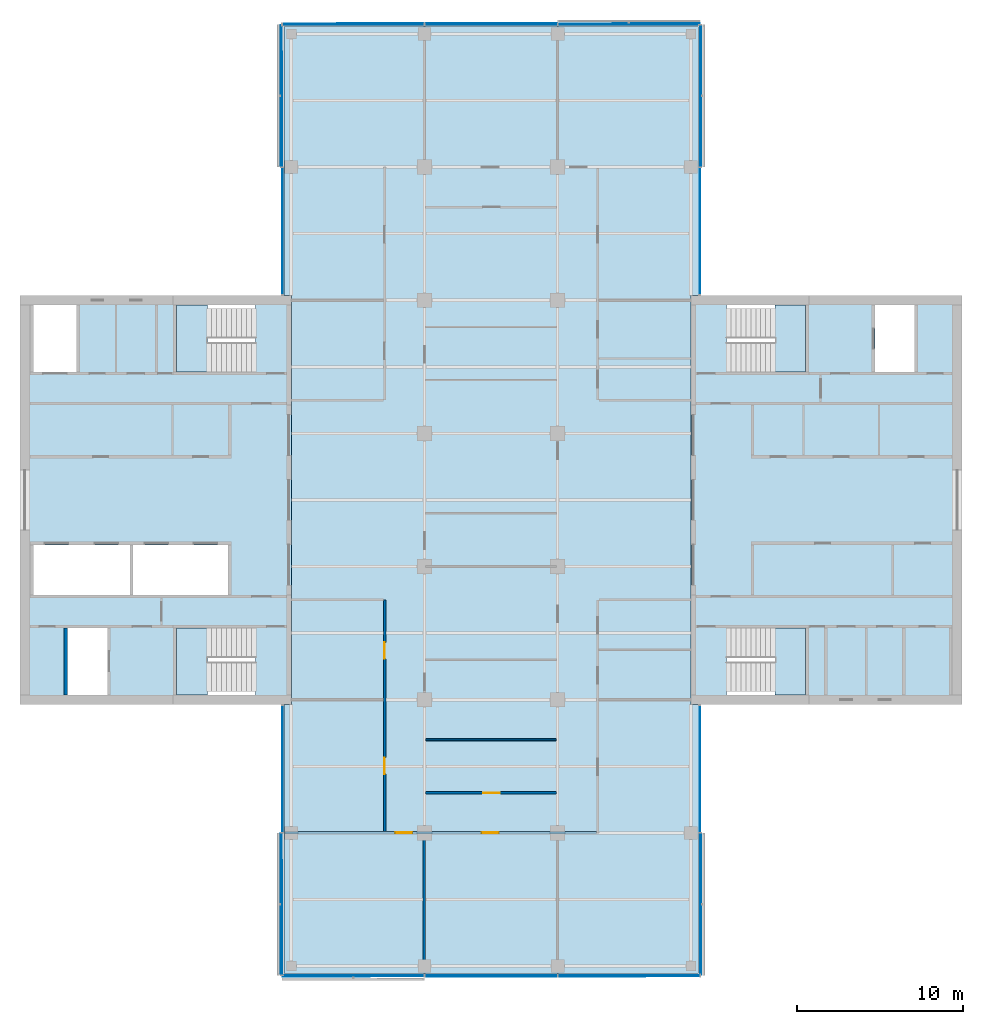
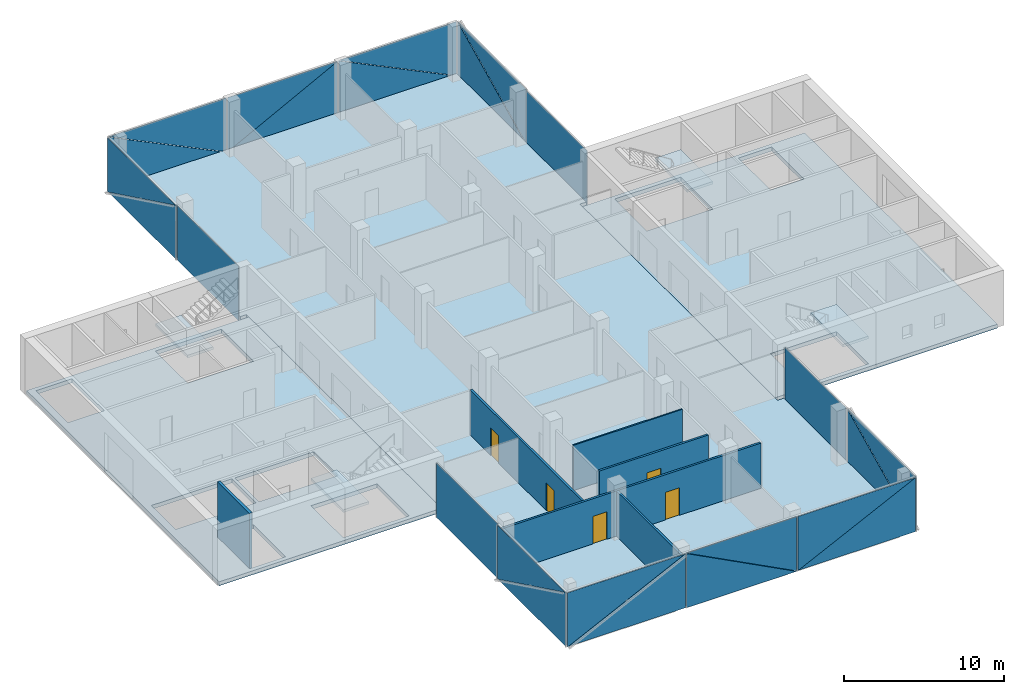
# One storey, part 8 of 15: 24 plates, 7 slabs, 6 walls, 5 doors, 5 openings, 14 elements without a shape of their own.
"""IFC4 building model written with IfcOpenShell, lengths in metres."""

import ifcopenshell
import ifcopenshell.guid

model = None  # the IFC model being written
_history = None  # IfcOwnerHistory: only IFC2X3 demands one
_inside = {}  # id of a spatial element -> (the spatial element, [elements in it])
_under = {}  # id of a project, library or spatial element -> (it, [spatial elements below it])
_declared = {}  # id of a project -> (the project, [libraries it declares])
_typed = {}  # id of a type object -> (the type object, [elements of that type])
_made_of = {}  # id of a material, layer set ... -> (it, [elements and type objects made of it])


def new_model(schema):
    """Start an empty IFC model of exactly this schema.

    Asked for "IFC4X3", IfcOpenShell would pick the latest addendum, in which some entities
    have other attributes; the version numbers below select the first issue.
    IFC2X3 requires an IfcOwnerHistory on every rooted entity: one is made here for all.
    """
    global model, _history
    if schema == "IFC4X3":
        model = ifcopenshell.file(schema_version=(4, 3, 0, 0))
    else:
        model = ifcopenshell.file(schema=schema)
    _inside.clear()
    _under.clear()
    _declared.clear()
    _typed.clear()
    _made_of.clear()
    _history = None
    if model.schema == "IFC2X3":
        org = make("IfcOrganization", Name="unknown")
        user = make(
            "IfcPersonAndOrganization",
            ThePerson=make("IfcPerson", FamilyName="unknown"),
            TheOrganization=org,
        )
        app = make(
            "IfcApplication",
            ApplicationDeveloper=org,
            Version="unknown",
            ApplicationFullName="unknown",
            ApplicationIdentifier="unknown",
        )
        _history = make(
            "IfcOwnerHistory",
            OwningUser=user,
            OwningApplication=app,
            ChangeAction="ADDED",
            CreationDate=0,
        )
    return model


def make(cls, **values):
    """One entity of the class cls with the attributes given. An attribute that is None is left unset."""
    return model.create_entity(
        cls, **{name: value for name, value in values.items() if value is not None}
    )


def rooted(cls, **values):
    """An entity with a GlobalId (a new one), such as an element, a storey or a relation."""
    return make(cls, GlobalId=ifcopenshell.guid.new(), OwnerHistory=_history, **values)


def si_unit(unit_type, name, prefix=None):
    """IfcSIUnit, for example si_unit("LENGTHUNIT", "METRE", prefix="MILLI")."""
    return make("IfcSIUnit", UnitType=unit_type, Prefix=prefix, Name=name)


def assignment(units):
    """IfcUnitAssignment: the units of a project."""
    return None if units is None else make("IfcUnitAssignment", Units=units)


def point(xyz):
    """IfcCartesianPoint."""
    return None if xyz is None else make("IfcCartesianPoint", Coordinates=xyz)


def direction(xyz):
    """IfcDirection."""
    return None if xyz is None else make("IfcDirection", DirectionRatios=xyz)


def frame(location, z_axis=None, x_axis=None):
    """IfcAxis2Placement3D, a coordinate frame: its origin and axes. An axis left out is left unset."""
    return make(
        "IfcAxis2Placement3D",
        Location=point(location),
        Axis=direction(z_axis),
        RefDirection=direction(x_axis),
    )


def frame_2d(location, x_axis=None):
    """IfcAxis2Placement2D, a coordinate frame in the plane: its origin and x axis."""
    return make(
        "IfcAxis2Placement2D", Location=point(location), RefDirection=direction(x_axis)
    )


def origin():
    """The frame at (0, 0, 0) with its axes left unset."""
    return frame((0.0, 0.0, 0.0))


def place(relative_to, where):
    """IfcLocalPlacement: puts the frame where relative to a parent placement (None: the world)."""
    return make(
        "IfcLocalPlacement", PlacementRelTo=relative_to, RelativePlacement=where
    )


def context(
    kind, dimensions, precision=None, world=None, true_north=None, identifier=None
):
    """IfcGeometricRepresentationContext, for example the 3D "Model" context."""
    return make(
        "IfcGeometricRepresentationContext",
        ContextIdentifier=identifier,
        ContextType=kind,
        CoordinateSpaceDimension=dimensions,
        Precision=precision,
        WorldCoordinateSystem=world,
        TrueNorth=true_north,
    )


def subcontext(parent, identifier, kind, view, scale=None):
    """IfcGeometricRepresentationSubContext, for example "Body" below "Model"."""
    return make(
        "IfcGeometricRepresentationSubContext",
        ContextIdentifier=identifier,
        ContextType=kind,
        ParentContext=parent,
        TargetScale=scale,
        TargetView=view,
    )


def project(units=None, contexts=None):
    """IfcProject with its units and contexts."""
    return rooted(
        "IfcProject",
        Name="project",
        RepresentationContexts=contexts,
        UnitsInContext=assignment(units),
    )


def spatial(cls, under=None, at=None, **own):
    """A site, building, storey or space (cls), placed at a placement, below another one or the project."""
    s = rooted(cls, ObjectPlacement=at, **own)
    if under is not None:
        _under.setdefault(under.id(), (under, []))[1].append(s)
    return s


def polyline(points):
    """IfcPolyline through the points."""
    return make("IfcPolyline", Points=[point(p) for p in points])


def profile(cls, at=None, kind="AREA", **sizes):
    """A parametric profile (cls). Its sizes go by their IFC names, for example OverallWidth=200.0."""
    return make(cls, ProfileType=kind, Position=at, **sizes)


def rectangle(**sizes):
    """IfcRectangleProfileDef."""
    return profile("IfcRectangleProfileDef", **sizes)


def outline(outer, holes=None, kind="AREA"):
    """IfcArbitraryClosedProfileDef: a profile drawn as a closed curve; with holes, ...WithVoids."""
    if holes is None:
        return make("IfcArbitraryClosedProfileDef", ProfileType=kind, OuterCurve=outer)
    return make(
        "IfcArbitraryProfileDefWithVoids",
        ProfileType=kind,
        OuterCurve=outer,
        InnerCurves=holes,
    )


def extrude(swept, where, along, depth):
    """IfcExtrudedAreaSolid: the profile swept, set in the frame where, extruded along a direction by depth."""
    return make(
        "IfcExtrudedAreaSolid",
        SweptArea=swept,
        Position=where,
        ExtrudedDirection=direction(along),
        Depth=depth,
    )


def shape(context_of_items, identifier, shape_type, items):
    """IfcShapeRepresentation: the items that make up one representation, for example the "Body"."""
    return make(
        "IfcShapeRepresentation",
        ContextOfItems=context_of_items,
        RepresentationIdentifier=identifier,
        RepresentationType=shape_type,
        Items=items,
    )


def material(Name=None, Category=None):
    """IfcMaterial."""
    return make("IfcMaterial", Name=Name, Category=Category)


def layer(
    of_material, thickness, ventilated=None, Name=None, Category=None, Priority=None
):
    """IfcMaterialLayer: one layer of a wall or slab, of a material (None: an air gap)."""
    return make(
        "IfcMaterialLayer",
        Material=of_material,
        LayerThickness=thickness,
        IsVentilated=ventilated,
        Name=Name,
        Category=Category,
        Priority=Priority,
    )


def layer_set(layers, Name=None):
    """IfcMaterialLayerSet."""
    return make("IfcMaterialLayerSet", MaterialLayers=layers, LayerSetName=Name)


def made_of(thing, what):
    """Note that an element or type object is made of a material, layer set ...; save() writes the relation."""
    if what is not None:
        _made_of.setdefault(what.id(), (what, []))[1].append(thing)
    return thing


def type_object(cls, material=None, **own):
    """A type object (cls), such as IfcWallType, which elements share."""
    return made_of(rooted(cls, **own), material)


def element(
    cls,
    number,
    at=None,
    inside=None,
    cuts=None,
    type_object=None,
    material=None,
    context=None,
    identifier="Body",
    shape_type=None,
    held_by="IfcProductDefinitionShape",
    body=None,
    shapes=None,
    **own,
):
    """One element of the class cls, such as IfcWall. Its Tag is "e" and its number.

    at: its placement. inside: the storey or other place that contains it. cuts: it is an
    opening in that element (IfcRelVoidsElement). A single representation is given by context,
    identifier, shape_type and body (its items); several are given by shapes. held_by: the class
    of the entity that holds the representations. save() writes the other relations.
    """
    e = rooted(cls, Tag="e%d" % number, ObjectPlacement=at, **own)
    if body is not None:
        shapes = [shape(context, identifier, shape_type, body)]
    if shapes is not None:
        e.Representation = make(held_by, Representations=shapes)
    if inside is not None:
        _inside.setdefault(inside.id(), (inside, []))[1].append(e)
    if cuts is not None:
        rooted(
            "IfcRelVoidsElement", RelatingBuildingElement=cuts, RelatedOpeningElement=e
        )
    if type_object is not None:
        _typed.setdefault(type_object.id(), (type_object, []))[1].append(e)
    return made_of(e, material)


def fill(opening, filler):
    """IfcRelFillsElement: the door or window that sits in an opening."""
    return rooted(
        "IfcRelFillsElement",
        RelatingOpeningElement=opening,
        RelatedBuildingElement=filler,
    )


def aggregate(whole, parts):
    """IfcRelAggregates: a whole, such as a stair, and the parts it consists of."""
    return rooted("IfcRelAggregates", RelatingObject=whole, RelatedObjects=parts)


def save(model, path):
    """Write the relations noted so far, then the file.

    IfcRelAggregates (storeys below a building ...), IfcRelContainedInSpatialStructure (elements
    in a storey), IfcRelDefinesByType, IfcRelAssociatesMaterial and IfcRelDeclares: one each for
    every whole, place, type object, material and project.
    """
    for whole, parts in _under.values():
        aggregate(whole, parts)
    for where, things in _inside.values():
        rooted(
            "IfcRelContainedInSpatialStructure",
            RelatedElements=things,
            RelatingStructure=where,
        )
    for kind, things in _typed.values():
        rooted("IfcRelDefinesByType", RelatedObjects=things, RelatingType=kind)
    for what, things in _made_of.values():
        rooted("IfcRelAssociatesMaterial", RelatedObjects=things, RelatingMaterial=what)
    for by, libraries in _declared.values():
        rooted("IfcRelDeclares", RelatingContext=by, RelatedDefinitions=libraries)
    model.write(path)


model = new_model("IFC4")

# Units and contexts
model_context = context("Model", 3, precision=1e-05, world=origin(), true_north=direction((0.0, 1.0)))
body_context = subcontext(model_context, "Body", "Model", "MODEL_VIEW")
ifc_project = project(units=[si_unit("LENGTHUNIT", "METRE"), si_unit("AREAUNIT", "SQUARE_METRE"), si_unit("VOLUMEUNIT", "CUBIC_METRE"), si_unit("PLANEANGLEUNIT", "RADIAN"), si_unit("MASSUNIT", "GRAM", prefix="KILO")], contexts=[model_context])

# Site, building, storey
site_placement = place(None, origin())
site = spatial("IfcSite", under=ifc_project, at=site_placement, CompositionType="ELEMENT")
building_placement = place(site_placement, origin())
building = spatial("IfcBuilding", under=site, at=building_placement, Name="Crosswind Convention Tower", CompositionType="ELEMENT")
storey_placement = place(building_placement, frame((0.0, 0.0, 204.10009765625)))
storey = spatial("IfcBuildingStorey", under=building, at=storey_placement, Name="L43", CompositionType="ELEMENT", Elevation=204.10009765625)

# Slabs
ifc_material_1 = material(Name="Concrete C40/50", Category="concrete")
ifc_layer_1 = layer(ifc_material_1, 0.300048828125)
ifc_layer_set_1 = layer_set([ifc_layer_1], Name="Concrete C40/50")
slab_type_1 = type_object("IfcSlabType", Name="Composite floor slab 300", PredefinedType="FLOOR", material=ifc_layer_set_1)
slab_1_placement = place(storey_placement, frame((0.0, 0.0, -0.300048828125)))
element("IfcSlab", 1, at=slab_1_placement, inside=storey, type_object=slab_type_1, Name="Floor slab L43", PredefinedType="FLOOR", context=body_context, shape_type="SweptSolid", body=[
    extrude(outline(polyline([(137.449951171875, 71.550048828125), (137.0, 71.550048828125), (113.0, 71.550048828125), (112.550048828125, 71.550048828125), (112.550048828125, 72.0), (112.550048828125, 87.699951171875), (113.0, 87.699951171875), (113.0, 112.300048828125), (112.550048828125, 112.300048828125), (112.550048828125, 128.0), (112.550048828125, 128.449951171875), (113.0, 128.449951171875), (137.0, 128.449951171875), (137.449951171875, 128.449951171875), (137.449951171875, 128.0), (137.449951171875, 112.300048828125), (137.0, 112.300048828125), (137.0, 87.699951171875), (137.449951171875, 87.699951171875), (137.449951171875, 72.0), (137.449951171875, 71.550048828125)])), origin(), (0.0, 0.0, 1.0), 0.300048828125),
])
ifc_layer_2 = layer(ifc_material_1, 0.300048828125)
ifc_layer_set_2 = layer_set([ifc_layer_2], Name="Concrete C40/50")
slab_type_2 = type_object("IfcSlabType", Name="Concrete core floor slab 300", PredefinedType="FLOOR", material=ifc_layer_set_2)
slab_2_placement = place(storey_placement, frame((0.0, 0.0, -0.300048828125)))
element("IfcSlab", 2, at=slab_2_placement, inside=storey, type_object=slab_type_2, Name="Core floor slab E L43", PredefinedType="FLOOR", context=body_context, shape_type="SweptSolid", body=[
    extrude(outline(polyline([(137.0, 88.0), (153.0, 88.0), (153.0, 112.0), (137.0, 112.0), (137.0, 88.0)]), holes=[polyline([(150.449951171875, 107.699951171875), (150.449951171875, 111.699951171875), (148.050048828125, 111.699951171875), (148.050048828125, 107.699951171875), (150.449951171875, 107.699951171875)]), polyline([(143.89990234375, 107.699951171875), (143.89990234375, 111.699951171875), (139.14990234375, 111.699951171875), (139.14990234375, 107.699951171875), (143.89990234375, 107.699951171875)]), polyline([(143.89990234375, 88.300048828125), (143.89990234375, 92.300048828125), (139.14990234375, 92.300048828125), (139.14990234375, 88.300048828125), (143.89990234375, 88.300048828125)])]), origin(), (0.0, 0.0, 1.0), 0.300048828125),
])
slab_3_placement = place(storey_placement, frame((0.0, 0.0, -0.300048828125)))
element("IfcSlab", 3, at=slab_3_placement, inside=storey, type_object=slab_type_2, Name="Core floor slab W L43", PredefinedType="FLOOR", context=body_context, shape_type="SweptSolid", body=[
    extrude(outline(polyline([(97.0, 88.0), (113.0, 88.0), (113.0, 112.0), (97.0, 112.0), (97.0, 88.0)]), holes=[polyline([(109.199951171875, 94.300048828125), (109.199951171875, 97.300048828125), (103.5, 97.300048828125), (103.5, 94.300048828125), (109.199951171875, 94.300048828125)]), polyline([(103.300048828125, 94.300048828125), (103.300048828125, 97.300048828125), (97.5, 97.300048828125), (97.5, 94.300048828125), (103.300048828125, 94.300048828125)]), polyline([(101.949951171875, 88.300048828125), (101.949951171875, 92.300048828125), (99.550048828125, 92.300048828125), (99.550048828125, 88.300048828125), (101.949951171875, 88.300048828125)]), polyline([(100.10009765625, 107.699951171875), (100.10009765625, 111.699951171875), (97.5, 111.699951171875), (97.5, 107.699951171875), (100.10009765625, 107.699951171875)]), polyline([(110.85009765625, 88.300048828125), (110.85009765625, 92.300048828125), (106.10009765625, 92.300048828125), (106.10009765625, 88.300048828125), (110.85009765625, 88.300048828125)]), polyline([(110.85009765625, 107.699951171875), (110.85009765625, 111.699951171875), (106.10009765625, 111.699951171875), (106.10009765625, 107.699951171875), (110.85009765625, 107.699951171875)])]), origin(), (0.0, 0.0, 1.0), 0.300048828125),
])

# Stair, slab
stair_type = type_object("IfcStairType", Name="Exit stair 1800 wide, 2 flights of 11 risers", PredefinedType="HALF_TURN_STAIR", material=ifc_material_1)
stair_1_placement = place(storey_placement, origin())
stair_1 = element("IfcStair", 4, at=stair_1_placement, inside=storey, type_object=stair_type, Name="Exit stair ST1 L43", ObjectType="ST5", PredefinedType="HALF_TURN_STAIR")
ifc_layer_3 = layer(ifc_material_1, 0.199951171875)
ifc_layer_set_3 = layer_set([ifc_layer_3], Name="Concrete C40/50")
slab_type_3 = type_object("IfcSlabType", Name="Stair landing 200", PredefinedType="LANDING", material=ifc_layer_set_3)
slab_4_placement = place(storey_placement, frame((0.0, 0.0, 1.89990234375)))
slab_4 = element("IfcSlab", 5, at=slab_4_placement, type_object=slab_type_3, Name="ST1 landing 1", PredefinedType="LANDING", context=body_context, shape_type="SweptSolid", body=[
    extrude(outline(polyline([(143.89990234375, 107.699951171875), (143.89990234375, 111.699951171875), (142.050048828125, 111.699951171875), (142.050048828125, 107.699951171875), (143.89990234375, 107.699951171875)])), origin(), (0.0, 0.0, 1.0), 0.199951171875),
])
aggregate(stair_1, [slab_4])

stair_2_placement = place(storey_placement, origin())
stair_2 = element("IfcStair", 6, at=stair_2_placement, inside=storey, type_object=stair_type, Name="Exit stair ST2 L43", ObjectType="ST5", PredefinedType="HALF_TURN_STAIR")
slab_5_placement = place(storey_placement, frame((0.0, 0.0, 1.89990234375)))
slab_5 = element("IfcSlab", 7, at=slab_5_placement, type_object=slab_type_3, Name="ST2 landing 1", PredefinedType="LANDING", context=body_context, shape_type="SweptSolid", body=[
    extrude(outline(polyline([(143.89990234375, 88.300048828125), (143.89990234375, 92.300048828125), (142.050048828125, 92.300048828125), (142.050048828125, 88.300048828125), (143.89990234375, 88.300048828125)])), origin(), (0.0, 0.0, 1.0), 0.199951171875),
])
aggregate(stair_2, [slab_5])

stair_3_placement = place(storey_placement, origin())
stair_3 = element("IfcStair", 8, at=stair_3_placement, inside=storey, type_object=stair_type, Name="Exit stair ST3 L43", ObjectType="ST5", PredefinedType="HALF_TURN_STAIR")
slab_6_placement = place(storey_placement, frame((0.0, 0.0, 1.89990234375)))
slab_6 = element("IfcSlab", 9, at=slab_6_placement, type_object=slab_type_3, Name="ST3 landing 1", PredefinedType="LANDING", context=body_context, shape_type="SweptSolid", body=[
    extrude(outline(polyline([(107.949951171875, 88.300048828125), (107.949951171875, 92.300048828125), (106.10009765625, 92.300048828125), (106.10009765625, 88.300048828125), (107.949951171875, 88.300048828125)])), origin(), (0.0, 0.0, 1.0), 0.199951171875),
])
aggregate(stair_3, [slab_6])

stair_4_placement = place(storey_placement, origin())
stair_4 = element("IfcStair", 10, at=stair_4_placement, inside=storey, type_object=stair_type, Name="Exit stair ST4 L43", ObjectType="ST5", PredefinedType="HALF_TURN_STAIR")
slab_7_placement = place(storey_placement, frame((0.0, 0.0, 1.89990234375)))
slab_7 = element("IfcSlab", 11, at=slab_7_placement, type_object=slab_type_3, Name="ST4 landing 1", PredefinedType="LANDING", context=body_context, shape_type="SweptSolid", body=[
    extrude(outline(polyline([(107.949951171875, 107.699951171875), (107.949951171875, 111.699951171875), (106.10009765625, 111.699951171875), (106.10009765625, 107.699951171875), (107.949951171875, 107.699951171875)])), origin(), (0.0, 0.0, 1.0), 0.199951171875),
])
aggregate(stair_4, [slab_7])

# Curtain wall, plate
ifc_material_2 = material(Name="Aluminium unitised curtain wall", Category="aluminium")
curtain_wall_type_1 = type_object("IfcCurtainWallType", Name="CORE END SLOT WALL 160", PredefinedType="USERDEFINED", material=ifc_material_2)
curtain_wall_1_placement = place(storey_placement, origin())
curtain_wall_1 = element("IfcCurtainWall", 12, at=curtain_wall_1_placement, inside=storey, type_object=curtain_wall_type_1, Name="CW6 L43 N-E.1-1 slot", ObjectType="UNITISED", PredefinedType="USERDEFINED")
ifc_material_3 = material(Name="Laminated insulating glass unit", Category="glass")
ifc_layer_4 = layer(ifc_material_3, 0.02587890625)
ifc_layer_set_4 = layer_set([ifc_layer_4], Name="TRIANGULAR GLASS PANEL 26")
plate_type_1 = type_object("IfcPlateType", Name="TRIANGULAR GLASS PANEL 26", PredefinedType="CURTAIN_PANEL", material=ifc_layer_set_4)
plate_1_placement = place(storey_placement, frame((137.556884765625, 112.35009765625, -0.300048828125), z_axis=(0.999999915205, 0.0, 0.00041181312), x_axis=(0.0, 1.0, 0.0)))
plate_1 = element("IfcPlate", 13, at=plate_1_placement, type_object=plate_type_1, Name="CW6 panel 1.1", PredefinedType="CURTAIN_PANEL", context=body_context, shape_type="SweptSolid", body=[
    extrude(outline(polyline([(0.0, 0.0), (7.599853515625, 0.0), (7.599853515625, 4.149902695641109), (0.0, 4.149902695641109), (0.0, 0.0)])), origin(), (0.0, 0.0, -1.0), 0.02587890625),
])
aggregate(curtain_wall_1, [plate_1])

curtain_wall_2_placement = place(storey_placement, origin())
curtain_wall_2 = element("IfcCurtainWall", 14, at=curtain_wall_2_placement, inside=storey, type_object=curtain_wall_type_1, Name="CW6 L43 N-W.1-2 slot", ObjectType="UNITISED", PredefinedType="USERDEFINED")
plate_2_placement = place(storey_placement, frame((112.443115234375, 119.949951171875, -0.300048828125), z_axis=(-0.999999915205, 0.0, 0.00041181312), x_axis=(0.0, -1.0, 0.0)))
plate_2 = element("IfcPlate", 15, at=plate_2_placement, type_object=plate_type_1, Name="CW6 panel 1.1", PredefinedType="CURTAIN_PANEL", context=body_context, shape_type="SweptSolid", body=[
    extrude(outline(polyline([(0.0, 0.0), (7.599853515625, 0.0), (7.599853515625, 4.149902695641109), (0.0, 4.149902695641109), (0.0, 0.0)])), origin(), (0.0, 0.0, -1.0), 0.02587890625),
])
aggregate(curtain_wall_2, [plate_2])

curtain_wall_3_placement = place(storey_placement, origin())
curtain_wall_3 = element("IfcCurtainWall", 16, at=curtain_wall_3_placement, inside=storey, type_object=curtain_wall_type_1, Name="CW6 L43 S-W.1-1 slot", ObjectType="UNITISED", PredefinedType="USERDEFINED")
plate_3_placement = place(storey_placement, frame((112.443115234375, 87.64990234375, -0.300048828125), z_axis=(-0.999999915205, 0.0, 0.00041181312), x_axis=(0.0, -1.0, 0.0)))
plate_3 = element("IfcPlate", 17, at=plate_3_placement, type_object=plate_type_1, Name="CW6 panel 1.1", PredefinedType="CURTAIN_PANEL", context=body_context, shape_type="SweptSolid", body=[
    extrude(outline(polyline([(0.0, 0.0), (7.599853515625, 0.0), (7.599853515625, 4.149902695641109), (0.0, 4.149902695641109), (0.0, 0.0)])), origin(), (0.0, 0.0, -1.0), 0.02587890625),
])
aggregate(curtain_wall_3, [plate_3])

curtain_wall_4_placement = place(storey_placement, origin())
curtain_wall_4 = element("IfcCurtainWall", 18, at=curtain_wall_4_placement, inside=storey, type_object=curtain_wall_type_1, Name="CW6 L43 S-E.1-2 slot", ObjectType="UNITISED", PredefinedType="USERDEFINED")
plate_4_placement = place(storey_placement, frame((137.556884765625, 80.050048828125, -0.300048828125), z_axis=(0.999999915205, 0.0, 0.00041181312), x_axis=(0.0, 1.0, 0.0)))
plate_4 = element("IfcPlate", 19, at=plate_4_placement, type_object=plate_type_1, Name="CW6 panel 1.1", PredefinedType="CURTAIN_PANEL", context=body_context, shape_type="SweptSolid", body=[
    extrude(outline(polyline([(0.0, 0.0), (7.599853515625, 0.0), (7.599853515625, 4.149902695641109), (0.0, 4.149902695641109), (0.0, 0.0)])), origin(), (0.0, 0.0, -1.0), 0.02587890625),
])
aggregate(curtain_wall_4, [plate_4])

# Curtain wall, plates
curtain_wall_type_2 = type_object("IfcCurtainWallType", Name="OFFICE UNITISED WALL 220", PredefinedType="USERDEFINED", material=ifc_material_2)
curtain_wall_5_placement = place(storey_placement, origin())
curtain_wall_5 = element("IfcCurtainWall", 20, at=curtain_wall_5_placement, inside=storey, type_object=curtain_wall_type_2, Name="CW3 L43 N-E 1", ObjectType="UNITISED", PredefinedType="USERDEFINED")
ifc_layer_5 = layer(ifc_material_3, 0.031982421875)
ifc_layer_set_5 = layer_set([ifc_layer_5], Name="TRIANGULAR GLASS PANEL 32")
plate_type_2 = type_object("IfcPlateType", Name="TRIANGULAR GLASS PANEL 32", PredefinedType="CURTAIN_PANEL", material=ifc_layer_set_5)
plate_5_placement = place(storey_placement, frame((137.5927734375, 128.52490234375, -0.300048828125), z_axis=(0.999999913924, 0.0, 0.000414913129), x_axis=(-0.000414913129, 0.0, 0.999999913924)))
plate_5 = element("IfcPlate", 21, at=plate_5_placement, type_object=plate_type_2, Name="CW3 panel 1.1", PredefinedType="CURTAIN_PANEL", context=body_context, shape_type="SweptSolid", body=[
    extrude(outline(polyline([(0.0, 0.0), (4.118896838915043, 0.0), (0.0, 8.467041015624998), (0.0, 0.0)])), origin(), (0.0, 0.0, -1.0), 0.031982421875),
])
plate_6_placement = place(storey_placement, frame((137.625244140625, 120.034912109375, 3.829833984375), z_axis=(0.99999993676, 0.0, 0.000355639833), x_axis=(0.000355639833, 0.0, -0.99999993676)))
plate_6 = element("IfcPlate", 22, at=plate_6_placement, type_object=plate_type_2, Name="CW3 panel 1.2", PredefinedType="CURTAIN_PANEL", context=body_context, shape_type="SweptSolid", body=[
    extrude(outline(polyline([(0.0, 0.0), (4.1188967448534015, 0.0), (0.0, 8.46728515625), (0.0, 0.0)])), origin(), (0.0, 0.0, -1.0), 0.031982421875),
])
aggregate(curtain_wall_5, [plate_5, plate_6])

curtain_wall_6_placement = place(storey_placement, origin())
curtain_wall_6 = element("IfcCurtainWall", 23, at=curtain_wall_6_placement, inside=storey, type_object=curtain_wall_type_2, Name="CW3 L43 N-TIP 1", ObjectType="UNITISED", PredefinedType="USERDEFINED")
plate_7_placement = place(storey_placement, frame((129.034912109375, 128.5927734375, -0.300048828125), z_axis=(0.0, 0.999999913924, 0.000414913129), x_axis=(0.0, -0.000414913129, 0.999999913924)))
plate_7 = element("IfcPlate", 24, at=plate_7_placement, type_object=plate_type_2, Name="CW3 panel 1.1", PredefinedType="CURTAIN_PANEL", context=body_context, shape_type="SweptSolid", body=[
    extrude(outline(polyline([(0.0, 0.0), (4.118896838915043, 0.0), (0.0, 8.467285156249998), (0.0, 0.0)])), origin(), (0.0, 0.0, -1.0), 0.031982421875),
])
plate_8_placement = place(storey_placement, frame((137.52490234375, 128.625244140625, 3.829833984375), z_axis=(0.0, 0.99999993676, 0.000355639833), x_axis=(0.0, 0.000355639833, -0.99999993676)))
plate_8 = element("IfcPlate", 25, at=plate_8_placement, type_object=plate_type_2, Name="CW3 panel 1.2", PredefinedType="CURTAIN_PANEL", context=body_context, shape_type="SweptSolid", body=[
    extrude(outline(polyline([(0.0, 0.0), (4.1188967448534015, 0.0), (0.0, 8.467041015625), (0.0, 0.0)])), origin(), (0.0, 0.0, -1.0), 0.031982421875),
])
plate_9_placement = place(storey_placement, frame((121.034912109375, 128.591064453125, 3.829833984375), z_axis=(0.0, 0.999999913913, 0.000414937724), x_axis=(1.0, 0.0, 0.0)))
plate_9 = element("IfcPlate", 26, at=plate_9_placement, type_object=plate_type_2, Name="CW3 panel 2.1", PredefinedType="CURTAIN_PANEL", context=body_context, shape_type="SweptSolid", body=[
    extrude(outline(polyline([(0.0, 0.0), (7.908447265625, 0.0), (0.0, 4.118652698311059), (0.0, 0.0)])), origin(), (0.0, 0.0, -1.0), 0.031982421875),
])
plate_10_placement = place(storey_placement, frame((128.965087890625, 128.626708984375, -0.300048828125), z_axis=(0.0, 0.999999936753, 0.000355660914), x_axis=(-1.0, 0.0, 0.0)))
plate_10 = element("IfcPlate", 27, at=plate_10_placement, type_object=plate_type_2, Name="CW3 panel 2.2", PredefinedType="CURTAIN_PANEL", context=body_context, shape_type="SweptSolid", body=[
    extrude(outline(polyline([(0.0, 0.0), (7.908447265625, 0.0), (0.0, 4.118652604243842), (0.0, 0.0)])), origin(), (0.0, 0.0, -1.0), 0.031982421875),
])
plate_11_placement = place(storey_placement, frame((112.47509765625, 128.5927734375, -0.300048828125), z_axis=(0.0, 0.999999913924, 0.000414913129), x_axis=(0.0, -0.000414913129, 0.999999913924)))
plate_11 = element("IfcPlate", 28, at=plate_11_placement, type_object=plate_type_2, Name="CW3 panel 3.1", PredefinedType="CURTAIN_PANEL", context=body_context, shape_type="SweptSolid", body=[
    extrude(outline(polyline([(0.0, 0.0), (4.118896838915043, 0.0), (0.0, 8.467041015624998), (0.0, 0.0)])), origin(), (0.0, 0.0, -1.0), 0.031982421875),
])
plate_12_placement = place(storey_placement, frame((120.965087890625, 128.625244140625, 3.829833984375), z_axis=(0.0, 0.99999993676, 0.000355639833), x_axis=(0.0, 0.000355639833, -0.99999993676)))
plate_12 = element("IfcPlate", 29, at=plate_12_placement, type_object=plate_type_2, Name="CW3 panel 3.2", PredefinedType="CURTAIN_PANEL", context=body_context, shape_type="SweptSolid", body=[
    extrude(outline(polyline([(0.0, 0.0), (4.1188967448534015, 0.0), (0.0, 8.46728515625), (0.0, 0.0)])), origin(), (0.0, 0.0, -1.0), 0.031982421875),
])
aggregate(curtain_wall_6, [plate_7, plate_8, plate_9, plate_10, plate_11, plate_12])

curtain_wall_7_placement = place(storey_placement, origin())
curtain_wall_7 = element("IfcCurtainWall", 30, at=curtain_wall_7_placement, inside=storey, type_object=curtain_wall_type_2, Name="CW3 L43 N-W 1", ObjectType="UNITISED", PredefinedType="USERDEFINED")
plate_13_placement = place(storey_placement, frame((112.4072265625, 120.034912109375, -0.300048828125), z_axis=(-0.999999913924, 0.0, 0.000414913129), x_axis=(0.000414913129, 0.0, 0.999999913924)))
plate_13 = element("IfcPlate", 31, at=plate_13_placement, type_object=plate_type_2, Name="CW3 panel 1.1", PredefinedType="CURTAIN_PANEL", context=body_context, shape_type="SweptSolid", body=[
    extrude(outline(polyline([(0.0, 0.0), (4.118896838915043, 0.0), (0.0, 8.467285156249998), (0.0, 0.0)])), origin(), (0.0, 0.0, -1.0), 0.031982421875),
])
plate_14_placement = place(storey_placement, frame((112.374755859375, 128.52490234375, 3.829833984375), z_axis=(-0.99999993676, 0.0, 0.000355639833), x_axis=(-0.000355639833, 0.0, -0.99999993676)))
plate_14 = element("IfcPlate", 32, at=plate_14_placement, type_object=plate_type_2, Name="CW3 panel 1.2", PredefinedType="CURTAIN_PANEL", context=body_context, shape_type="SweptSolid", body=[
    extrude(outline(polyline([(0.0, 0.0), (4.1188967448534015, 0.0), (0.0, 8.467041015625), (0.0, 0.0)])), origin(), (0.0, 0.0, -1.0), 0.031982421875),
])
aggregate(curtain_wall_7, [plate_13, plate_14])

curtain_wall_8_placement = place(storey_placement, origin())
curtain_wall_8 = element("IfcCurtainWall", 33, at=curtain_wall_8_placement, inside=storey, type_object=curtain_wall_type_2, Name="CW3 L43 S-W 1", ObjectType="UNITISED", PredefinedType="USERDEFINED")
plate_15_placement = place(storey_placement, frame((112.4072265625, 71.47509765625, -0.300048828125), z_axis=(-0.999999913924, 0.0, 0.000414913129), x_axis=(0.000414913129, 0.0, 0.999999913924)))
plate_15 = element("IfcPlate", 34, at=plate_15_placement, type_object=plate_type_2, Name="CW3 panel 1.1", PredefinedType="CURTAIN_PANEL", context=body_context, shape_type="SweptSolid", body=[
    extrude(outline(polyline([(0.0, 0.0), (4.118896838915043, 0.0), (0.0, 8.467041015624998), (0.0, 0.0)])), origin(), (0.0, 0.0, -1.0), 0.031982421875),
])
plate_16_placement = place(storey_placement, frame((112.374755859375, 79.965087890625, 3.829833984375), z_axis=(-0.99999993676, 0.0, 0.000355639833), x_axis=(-0.000355639833, 0.0, -0.99999993676)))
plate_16 = element("IfcPlate", 35, at=plate_16_placement, type_object=plate_type_2, Name="CW3 panel 1.2", PredefinedType="CURTAIN_PANEL", context=body_context, shape_type="SweptSolid", body=[
    extrude(outline(polyline([(0.0, 0.0), (4.1188967448534015, 0.0), (0.0, 8.46728515625), (0.0, 0.0)])), origin(), (0.0, 0.0, -1.0), 0.031982421875),
])
aggregate(curtain_wall_8, [plate_15, plate_16])

curtain_wall_9_placement = place(storey_placement, origin())
curtain_wall_9 = element("IfcCurtainWall", 36, at=curtain_wall_9_placement, inside=storey, type_object=curtain_wall_type_2, Name="CW3 L43 S-TIP 1", ObjectType="UNITISED", PredefinedType="USERDEFINED")
plate_17_placement = place(storey_placement, frame((120.965087890625, 71.4072265625, -0.300048828125), z_axis=(0.0, -0.999999913924, 0.000414913129), x_axis=(0.0, 0.000414913129, 0.999999913924)))
plate_17 = element("IfcPlate", 37, at=plate_17_placement, type_object=plate_type_2, Name="CW3 panel 1.1", PredefinedType="CURTAIN_PANEL", context=body_context, shape_type="SweptSolid", body=[
    extrude(outline(polyline([(0.0, 0.0), (4.118896838915043, 0.0), (0.0, 8.467285156249998), (0.0, 0.0)])), origin(), (0.0, 0.0, -1.0), 0.031982421875),
])
plate_18_placement = place(storey_placement, frame((112.47509765625, 71.374755859375, 3.829833984375), z_axis=(0.0, -0.99999993676, 0.000355639833), x_axis=(0.0, -0.000355639833, -0.99999993676)))
plate_18 = element("IfcPlate", 38, at=plate_18_placement, type_object=plate_type_2, Name="CW3 panel 1.2", PredefinedType="CURTAIN_PANEL", context=body_context, shape_type="SweptSolid", body=[
    extrude(outline(polyline([(0.0, 0.0), (4.1188967448534015, 0.0), (0.0, 8.467041015625), (0.0, 0.0)])), origin(), (0.0, 0.0, -1.0), 0.031982421875),
])
plate_19_placement = place(storey_placement, frame((128.965087890625, 71.408935546875, 3.829833984375), z_axis=(0.0, -0.999999913913, 0.000414937724), x_axis=(-1.0, 0.0, 0.0)))
plate_19 = element("IfcPlate", 39, at=plate_19_placement, type_object=plate_type_2, Name="CW3 panel 2.1", PredefinedType="CURTAIN_PANEL", context=body_context, shape_type="SweptSolid", body=[
    extrude(outline(polyline([(0.0, 0.0), (7.908447265625, 0.0), (0.0, 4.118652698311059), (0.0, 0.0)])), origin(), (0.0, 0.0, -1.0), 0.031982421875),
])
plate_20_placement = place(storey_placement, frame((121.034912109375, 71.373291015625, -0.300048828125), z_axis=(0.0, -0.999999936753, 0.000355660914), x_axis=(1.0, 0.0, 0.0)))
plate_20 = element("IfcPlate", 40, at=plate_20_placement, type_object=plate_type_2, Name="CW3 panel 2.2", PredefinedType="CURTAIN_PANEL", context=body_context, shape_type="SweptSolid", body=[
    extrude(outline(polyline([(0.0, 0.0), (7.908447265625, 0.0), (0.0, 4.118652604243842), (0.0, 0.0)])), origin(), (0.0, 0.0, -1.0), 0.031982421875),
])
plate_21_placement = place(storey_placement, frame((137.52490234375, 71.4072265625, -0.300048828125), z_axis=(0.0, -0.999999913924, 0.000414913129), x_axis=(0.0, 0.000414913129, 0.999999913924)))
plate_21 = element("IfcPlate", 41, at=plate_21_placement, type_object=plate_type_2, Name="CW3 panel 3.1", PredefinedType="CURTAIN_PANEL", context=body_context, shape_type="SweptSolid", body=[
    extrude(outline(polyline([(0.0, 0.0), (4.118896838915043, 0.0), (0.0, 8.467041015624998), (0.0, 0.0)])), origin(), (0.0, 0.0, -1.0), 0.031982421875),
])
plate_22_placement = place(storey_placement, frame((129.034912109375, 71.374755859375, 3.829833984375), z_axis=(0.0, -0.99999993676, 0.000355639833), x_axis=(0.0, -0.000355639833, -0.99999993676)))
plate_22 = element("IfcPlate", 42, at=plate_22_placement, type_object=plate_type_2, Name="CW3 panel 3.2", PredefinedType="CURTAIN_PANEL", context=body_context, shape_type="SweptSolid", body=[
    extrude(outline(polyline([(0.0, 0.0), (4.1188967448534015, 0.0), (0.0, 8.46728515625), (0.0, 0.0)])), origin(), (0.0, 0.0, -1.0), 0.031982421875),
])
aggregate(curtain_wall_9, [plate_17, plate_18, plate_19, plate_20, plate_21, plate_22])

curtain_wall_10_placement = place(storey_placement, origin())
curtain_wall_10 = element("IfcCurtainWall", 43, at=curtain_wall_10_placement, inside=storey, type_object=curtain_wall_type_2, Name="CW3 L43 S-E 1", ObjectType="UNITISED", PredefinedType="USERDEFINED")
plate_23_placement = place(storey_placement, frame((137.5927734375, 79.965087890625, -0.300048828125), z_axis=(0.999999913924, 0.0, 0.000414913129), x_axis=(-0.000414913129, 0.0, 0.999999913924)))
plate_23 = element("IfcPlate", 44, at=plate_23_placement, type_object=plate_type_2, Name="CW3 panel 1.1", PredefinedType="CURTAIN_PANEL", context=body_context, shape_type="SweptSolid", body=[
    extrude(outline(polyline([(0.0, 0.0), (4.118896838915043, 0.0), (0.0, 8.467285156249998), (0.0, 0.0)])), origin(), (0.0, 0.0, -1.0), 0.031982421875),
])
plate_24_placement = place(storey_placement, frame((137.625244140625, 71.47509765625, 3.829833984375), z_axis=(0.99999993676, 0.0, 0.000355639833), x_axis=(0.000355639833, 0.0, -0.99999993676)))
plate_24 = element("IfcPlate", 45, at=plate_24_placement, type_object=plate_type_2, Name="CW3 panel 1.2", PredefinedType="CURTAIN_PANEL", context=body_context, shape_type="SweptSolid", body=[
    extrude(outline(polyline([(0.0, 0.0), (4.1188967448534015, 0.0), (0.0, 8.467041015625), (0.0, 0.0)])), origin(), (0.0, 0.0, -1.0), 0.031982421875),
])
aggregate(curtain_wall_10, [plate_23, plate_24])

# Walls
ifc_material_4 = material(Name="Concrete C50/60", Category="concrete")
ifc_layer_6 = layer(ifc_material_4, 0.199951171875)
ifc_layer_set_6 = layer_set([ifc_layer_6], Name="Concrete C50/60")
wall_type_1 = type_object("IfcWallType", Name="Concrete shaft and stair wall 200", PredefinedType="SHEAR", material=ifc_layer_set_6)
wall_1_placement = place(storey_placement, frame((99.449951171875, 92.300048828125, 0.0), z_axis=(0.0, 0.0, 1.0), x_axis=(0.0, -1.0, 0.0)))
element("IfcWall", 46, at=wall_1_placement, inside=storey, type_object=wall_type_1, Name="Wall PFSE W L43", PredefinedType="SHEAR", context=body_context, shape_type="SweptSolid", body=[
    extrude(rectangle(XDim=4.0, YDim=0.199951171875, at=frame_2d((2.0, 0.0))), origin(), (0.0, 0.0, 1.0), 4.199951171875),
])
ifc_material_5 = material(Name="Plasterboard partition", Category="gypsum")
ifc_layer_7 = layer(ifc_material_5, 0.10009765625)
ifc_layer_set_7 = layer_set([ifc_layer_7], Name="PARTITION 100 METAL STUD")
wall_type_2 = type_object("IfcWallType", Name="PARTITION 100 METAL STUD", PredefinedType="PARTITIONING", material=ifc_layer_set_7)
wall_2_placement = place(storey_placement, frame((121.074951171875, 85.60009765625, 0.0), z_axis=(0.0, 0.0, 1.0), x_axis=(1.0, 0.0, 0.0)))
element("IfcWall", 47, at=wall_2_placement, inside=storey, type_object=wall_type_2, Name="Partition wall WT40", PredefinedType="PARTITIONING", context=body_context, shape_type="SweptSolid", body=[
    extrude(rectangle(XDim=7.85009765625, YDim=0.10009765625, at=frame_2d((3.925048828125, 0.0))), origin(), (0.0, 0.0, 1.0), 3.439697265625),
])

# Wall, openings, doors
ifc_material_6 = material(Name="Fire-board partition with mineral wool", Category="gypsum")
ifc_layer_8 = layer(ifc_material_6, 0.14990234375)
ifc_layer_set_8 = layer_set([ifc_layer_8], Name="TENANCY WALL 150 TWO-HOUR BOARD")
wall_type_3 = type_object("IfcWallType", Name="TENANCY WALL 150 TWO-HOUR BOARD", PredefinedType="PARTITIONING", material=ifc_layer_set_8)
wall_3_placement = place(storey_placement, frame((118.60009765625, 80.074951171875, 0.0), z_axis=(0.0, 0.0, 1.0), x_axis=(0.0, 1.0, 0.0)))
wall_3 = element("IfcWall", 48, at=wall_3_placement, inside=storey, type_object=wall_type_3, Name="Tenancy wall WT41", PredefinedType="PARTITIONING", context=body_context, shape_type="SweptSolid", body=[
    extrude(rectangle(XDim=13.925048828125, YDim=0.14990234375, at=frame_2d((6.96240234375, 0.0))), origin(), (0.0, 0.0, 1.0), 3.439697265625),
])
opening_1_placement = place(wall_3_placement, frame((10.375, 0.0, 0.0)))
opening_1 = element("IfcOpeningElement", 49, at=opening_1_placement, cuts=wall_3, Name="Opening L43-58", PredefinedType="OPENING", context=body_context, shape_type="SweptSolid", body=[
    extrude(rectangle(XDim=1.0, YDim=2.10009765625, at=frame_2d((0.5, 1.050048828125))), frame((0.0, 0.0849609375, 0.0), z_axis=(0.0, -1.0, 0.0), x_axis=(1.0, 0.0, 0.0)), (0.0, 0.0, 1.0), 0.169921875),
])
opening_2_placement = place(wall_3_placement, frame((3.449951171875, 0.0, 0.0)))
opening_2 = element("IfcOpeningElement", 50, at=opening_2_placement, cuts=wall_3, Name="Opening L43-59", PredefinedType="OPENING", context=body_context, shape_type="SweptSolid", body=[
    extrude(rectangle(XDim=1.0, YDim=2.10009765625, at=frame_2d((0.5, 1.050048828125))), frame((0.0, 0.0849609375, 0.0), z_axis=(0.0, -1.0, 0.0), x_axis=(1.0, 0.0, 0.0)), (0.0, 0.0, 1.0), 0.169921875),
])
ifc_material_7 = material(Name="Timber fire door", Category="wood")
door_type = type_object("IfcDoorType", Name="TENANCY ENTRANCE DOOR 1000X2100 FD30S", OperationType="NOTDEFINED", PredefinedType="DOOR", material=ifc_material_7)
door_1_placement = place(opening_1_placement, origin())
door_1 = element("IfcDoor", 51, at=door_1_placement, inside=storey, type_object=door_type, Name="Door L43-58", ObjectType="D41", OperationType="SINGLE_SWING_LEFT", OverallHeight=2.10009765625, OverallWidth=1.0, PredefinedType="DOOR", context=body_context, shape_type="SweptSolid", body=[
    extrude(rectangle(XDim=1.0, YDim=2.10009765625, at=frame_2d((0.5, 1.050048828125))), frame((0.0, 0.02490234375, 0.0), z_axis=(0.0, -1.0, 0.0), x_axis=(1.0, 0.0, 0.0)), (0.0, 0.0, 1.0), 0.050048828125),
])
fill(opening_1, door_1)
door_2_placement = place(opening_2_placement, origin())
door_2 = element("IfcDoor", 52, at=door_2_placement, inside=storey, type_object=door_type, Name="Door L43-59", ObjectType="D41", OperationType="SINGLE_SWING_RIGHT", OverallHeight=2.10009765625, OverallWidth=1.0, PredefinedType="DOOR", context=body_context, shape_type="SweptSolid", body=[
    extrude(rectangle(XDim=1.0, YDim=2.10009765625, at=frame_2d((0.5, 1.050048828125))), frame((0.0, 0.02490234375, 0.0), z_axis=(0.0, -1.0, 0.0), x_axis=(1.0, 0.0, 0.0)), (0.0, 0.0, 1.0), 0.050048828125),
])
fill(opening_2, door_2)

# Wall
wall_4_placement = place(storey_placement, frame((121.0, 71.6298828125, 0.0), z_axis=(0.0, 0.0, 1.0), x_axis=(0.0, 1.0, 0.0)))
element("IfcWall", 53, at=wall_4_placement, inside=storey, type_object=wall_type_3, Name="Tenancy wall WT41", PredefinedType="PARTITIONING", context=body_context, shape_type="SweptSolid", body=[
    extrude(rectangle(XDim=8.295166015625, YDim=0.14990234375, at=frame_2d((4.1474609375, 0.0))), origin(), (0.0, 0.0, 1.0), 3.439697265625),
])

# Wall, openings, doors
wall_5_placement = place(storey_placement, frame((112.6298828125, 80.0, 0.0), z_axis=(0.0, 0.0, 1.0), x_axis=(1.0, 0.0, 0.0)))
wall_5 = element("IfcWall", 54, at=wall_5_placement, inside=storey, type_object=wall_type_3, Name="Tenancy wall WT41", PredefinedType="PARTITIONING", context=body_context, shape_type="SweptSolid", body=[
    extrude(rectangle(XDim=18.695068359375, YDim=0.14990234375, at=frame_2d((9.34765625, 0.0))), origin(), (0.0, 0.0, 1.0), 3.439697265625),
])
opening_3_placement = place(wall_5_placement, frame((6.6201171875, 0.0, 0.0)))
opening_3 = element("IfcOpeningElement", 55, at=opening_3_placement, cuts=wall_5, Name="Opening L43-62", PredefinedType="OPENING", context=body_context, shape_type="SweptSolid", body=[
    extrude(rectangle(XDim=1.0, YDim=2.10009765625, at=frame_2d((0.5, 1.050048828125))), frame((0.0, 0.0849609375, 0.0), z_axis=(0.0, -1.0, 0.0), x_axis=(1.0, 0.0, 0.0)), (0.0, 0.0, 1.0), 0.169921875),
])
opening_4_placement = place(wall_5_placement, frame((11.820068359375, 0.0, 0.0)))
opening_4 = element("IfcOpeningElement", 56, at=opening_4_placement, cuts=wall_5, Name="Opening L43-63", PredefinedType="OPENING", context=body_context, shape_type="SweptSolid", body=[
    extrude(rectangle(XDim=1.0, YDim=2.10009765625, at=frame_2d((0.5, 1.050048828125))), frame((0.0, 0.0849609375, 0.0), z_axis=(0.0, -1.0, 0.0), x_axis=(1.0, 0.0, 0.0)), (0.0, 0.0, 1.0), 0.169921875),
])
door_3_placement = place(opening_3_placement, frame((1.0, 0.0, 0.0), z_axis=(0.0, 0.0, 1.0), x_axis=(-1.0, 0.0, 0.0)))
door_3 = element("IfcDoor", 57, at=door_3_placement, inside=storey, type_object=door_type, Name="Door L43-62", ObjectType="D41", OperationType="SINGLE_SWING_LEFT", OverallHeight=2.10009765625, OverallWidth=1.0, PredefinedType="DOOR", context=body_context, shape_type="SweptSolid", body=[
    extrude(rectangle(XDim=1.0, YDim=2.10009765625, at=frame_2d((0.5, 1.050048828125))), frame((0.0, 0.02490234375, 0.0), z_axis=(0.0, -1.0, 0.0), x_axis=(1.0, 0.0, 0.0)), (0.0, 0.0, 1.0), 0.050048828125),
])
fill(opening_3, door_3)
door_4_placement = place(opening_4_placement, frame((1.0, 0.0, 0.0), z_axis=(0.0, 0.0, 1.0), x_axis=(-1.0, 0.0, 0.0)))
door_4 = element("IfcDoor", 58, at=door_4_placement, inside=storey, type_object=door_type, Name="Door L43-63", ObjectType="D41", OperationType="SINGLE_SWING_RIGHT", OverallHeight=2.10009765625, OverallWidth=1.0, PredefinedType="DOOR", context=body_context, shape_type="SweptSolid", body=[
    extrude(rectangle(XDim=1.0, YDim=2.10009765625, at=frame_2d((0.5, 1.050048828125))), frame((0.0, 0.02490234375, 0.0), z_axis=(0.0, -1.0, 0.0), x_axis=(1.0, 0.0, 0.0)), (0.0, 0.0, 1.0), 0.050048828125),
])
fill(opening_4, door_4)

# Wall, opening, door
wall_6_placement = place(storey_placement, frame((121.074951171875, 82.39990234375, 0.0), z_axis=(0.0, 0.0, 1.0), x_axis=(1.0, 0.0, 0.0)))
wall_6 = element("IfcWall", 59, at=wall_6_placement, inside=storey, type_object=wall_type_3, Name="Tenancy wall WT41", PredefinedType="PARTITIONING", context=body_context, shape_type="SweptSolid", body=[
    extrude(rectangle(XDim=7.85009765625, YDim=0.14990234375, at=frame_2d((3.925048828125, 0.0))), origin(), (0.0, 0.0, 1.0), 3.439697265625),
])
opening_5_placement = place(wall_6_placement, frame((3.449951171875, 0.0, 0.0)))
opening_5 = element("IfcOpeningElement", 60, at=opening_5_placement, cuts=wall_6, Name="Opening L43-64", PredefinedType="OPENING", context=body_context, shape_type="SweptSolid", body=[
    extrude(rectangle(XDim=1.0, YDim=2.10009765625, at=frame_2d((0.5, 1.050048828125))), frame((0.0, 0.0849609375, 0.0), z_axis=(0.0, -1.0, 0.0), x_axis=(1.0, 0.0, 0.0)), (0.0, 0.0, 1.0), 0.169921875),
])
door_5_placement = place(opening_5_placement, origin())
door_5 = element("IfcDoor", 61, at=door_5_placement, inside=storey, type_object=door_type, Name="Door L43-64", ObjectType="D41", OperationType="SINGLE_SWING_RIGHT", OverallHeight=2.10009765625, OverallWidth=1.0, PredefinedType="DOOR", context=body_context, shape_type="SweptSolid", body=[
    extrude(rectangle(XDim=1.0, YDim=2.10009765625, at=frame_2d((0.5, 1.050048828125))), frame((0.0, 0.02490234375, 0.0), z_axis=(0.0, -1.0, 0.0), x_axis=(1.0, 0.0, 0.0)), (0.0, 0.0, 1.0), 0.050048828125),
])
fill(opening_5, door_5)

save(model, "model.ifc")
